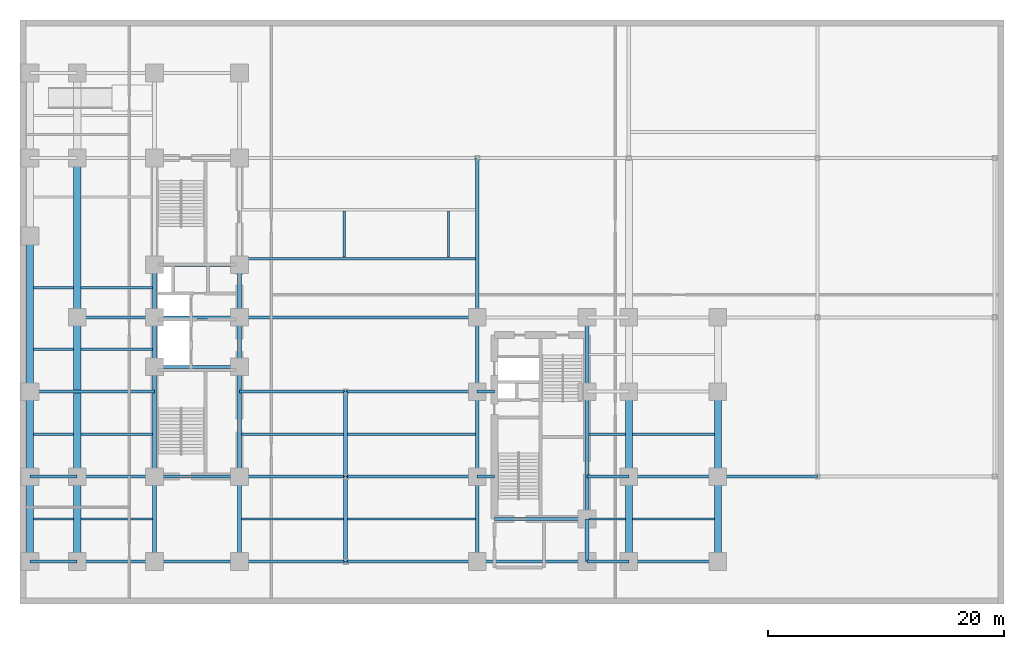
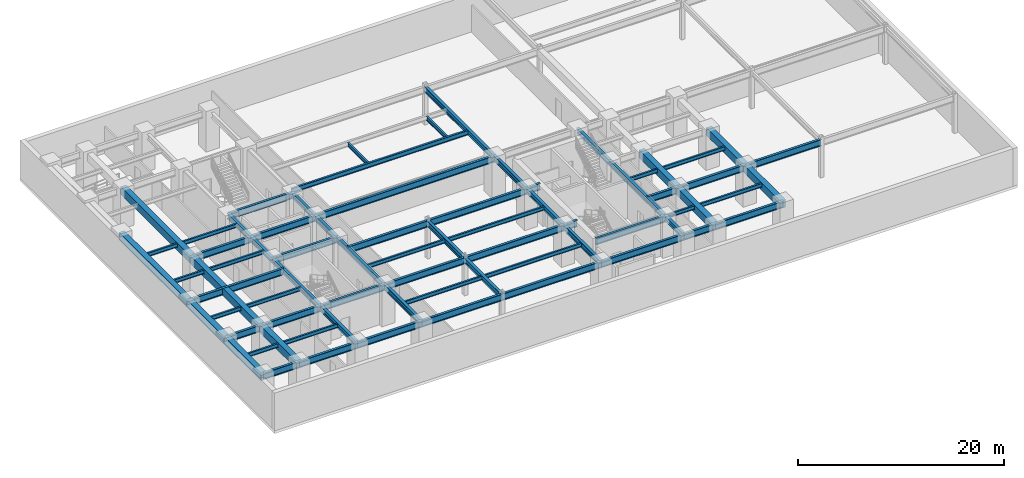
# One storey, part 3 of 9: 73 beams.
"""IFC4 building model written with IfcOpenShell, lengths in metres."""

from ifc_helpers import new_model, entity, si_unit, converted_unit, direction, frame, origin_with_axes, origin_2d_with_axis, place, context, subcontext, project, spatial, rectangle, i_section, extrude, material, material_profile, profile_set, type_object, element, save


model = new_model("IFC4")

# Units and contexts
model_context = context("Model", 3, precision=1e-05, world=origin_with_axes(), true_north=direction((0.0, 1.0)))
body_context = subcontext(model_context, "Body", "Model", "MODEL_VIEW")
ifc_project = project(units=[si_unit("LENGTHUNIT", "METRE"), si_unit("AREAUNIT", "SQUARE_METRE"), si_unit("VOLUMEUNIT", "CUBIC_METRE"), converted_unit("PLANEANGLEUNIT", "DEGREE", entity("IfcPlaneAngleMeasure", 0.017453292519943295), si_unit("PLANEANGLEUNIT", "RADIAN"), dimensions=[0, 0, 0, 0, 0, 0, 0]), si_unit("MASSUNIT", "GRAM", prefix="KILO"), si_unit("THERMODYNAMICTEMPERATUREUNIT", "KELVIN")], contexts=[model_context])

# Site, building, storey
site_placement = place(None, origin_with_axes())
site = spatial("IfcSite", under=ifc_project, at=site_placement, CompositionType="ELEMENT")
building_placement = place(site_placement, origin_with_axes())
building = spatial("IfcBuilding", under=site, at=building_placement, Name="Varnlund Millrace Tower", CompositionType="ELEMENT")
storey_placement = place(building_placement, frame((0.0, 0.0, -4.8), z_axis=(0.0, 0.0, 1.0), x_axis=(1.0, 0.0, 0.0)))
storey = spatial("IfcBuildingStorey", under=building, at=storey_placement, Name="B1", CompositionType="ELEMENT", Elevation=-4.8)

# Beams
ifc_material_1 = material(Name="Steel ASTM A992 Grade 50", Category="steel")
ifc_material_profile_1 = material_profile(ifc_material_1, i_section(OverallWidth=0.214, OverallDepth=0.549, WebThickness=0.0147, FlangeThickness=0.0236, FilletRadius=0.015, at=origin_2d_with_axis()), Name="Steel ASTM A992 Grade 50")
ifc_profile_set_1 = profile_set([ifc_material_profile_1], Name="Steel ASTM A992 Grade 50")
beam_type_1 = type_object("IfcBeamType", Name="Type-Beam-W21X93", PredefinedType="BEAM", material=ifc_profile_set_1)
beam_1_placement = place(storey_placement, frame((18.764, 29.275, 4.2055), z_axis=(1.0, 0.0, 0.0), x_axis=(0.0, 1.0, 0.0)))
element("IfcBeam", 1, at=beam_1_placement, inside=storey, type_object=beam_type_1, Name="Type-Beam-W21X93", PredefinedType="BEAM", context=body_context, shape_type="SweptSolid", body=[
    extrude(i_section(OverallWidth=0.214, OverallDepth=0.549, WebThickness=0.0147, FlangeThickness=0.0236, FilletRadius=0.015, at=origin_2d_with_axis()), origin_with_axes(), (0.0, 0.0, 1.0), 19.822),
])
ifc_material_profile_2 = material_profile(ifc_material_1, i_section(OverallWidth=0.328, OverallDepth=0.628, WebThickness=0.0165, FlangeThickness=0.0277, FilletRadius=0.018, at=origin_2d_with_axis()), Name="Steel ASTM A992 Grade 50")
ifc_profile_set_2 = profile_set([ifc_material_profile_2], Name="Steel ASTM A992 Grade 50")
beam_type_2 = type_object("IfcBeamType", Name="Type-Girder-W24X146", PredefinedType="USERDEFINED", material=ifc_profile_set_2)
beam_2_placement = place(storey_placement, frame((11.4, 3.6, 4.166), z_axis=(0.0, 1.0, 0.0), x_axis=(-1.0, 0.0, 0.0)))
element("IfcBeam", 2, at=beam_2_placement, inside=storey, type_object=beam_type_2, Name="Type-Girder-W24X146", ObjectType="GIRDER", PredefinedType="USERDEFINED", context=body_context, shape_type="SweptSolid", body=[
    extrude(i_section(OverallWidth=0.328, OverallDepth=0.628, WebThickness=0.0165, FlangeThickness=0.0277, FilletRadius=0.018, at=origin_2d_with_axis()), origin_with_axes(), (0.0, 0.0, 1.0), 7.2),
])
beam_3_placement = place(storey_placement, frame((11.4, 10.8, 4.166), z_axis=(0.0, 1.0, 0.0), x_axis=(-1.0, 0.0, 0.0)))
element("IfcBeam", 3, at=beam_3_placement, inside=storey, type_object=beam_type_2, Name="Type-Girder-W24X146", ObjectType="GIRDER", PredefinedType="USERDEFINED", context=body_context, shape_type="SweptSolid", body=[
    extrude(i_section(OverallWidth=0.328, OverallDepth=0.628, WebThickness=0.0165, FlangeThickness=0.0277, FilletRadius=0.018, at=origin_2d_with_axis()), origin_with_axes(), (0.0, 0.0, 1.0), 9.3),
])
beam_4_placement = place(storey_placement, frame((11.4, 20.1, 4.166), z_axis=(0.0, 1.0, 0.0), x_axis=(-1.0, 0.0, 0.0)))
element("IfcBeam", 4, at=beam_4_placement, inside=storey, type_object=beam_type_2, Name="Type-Girder-W24X146", ObjectType="GIRDER", PredefinedType="USERDEFINED", context=body_context, shape_type="SweptSolid", body=[
    extrude(i_section(OverallWidth=0.328, OverallDepth=0.628, WebThickness=0.0165, FlangeThickness=0.0277, FilletRadius=0.018, at=origin_2d_with_axis()), origin_with_axes(), (0.0, 0.0, 1.0), 4.2),
])
beam_5_placement = place(storey_placement, frame((11.4, 24.3, 4.166), z_axis=(0.0, 1.0, 0.0), x_axis=(-1.0, 0.0, 0.0)))
element("IfcBeam", 5, at=beam_5_placement, inside=storey, type_object=beam_type_2, Name="Type-Girder-W24X146", ObjectType="GIRDER", PredefinedType="USERDEFINED", context=body_context, shape_type="SweptSolid", body=[
    extrude(i_section(OverallWidth=0.328, OverallDepth=0.628, WebThickness=0.0165, FlangeThickness=0.0277, FilletRadius=0.018, at=origin_2d_with_axis()), origin_with_axes(), (0.0, 0.0, 1.0), 4.45),
])
beam_6_placement = place(storey_placement, frame((18.6, 3.6, 4.166), z_axis=(0.0, 1.0, 0.0), x_axis=(-1.0, 0.0, 0.0)))
element("IfcBeam", 6, at=beam_6_placement, inside=storey, type_object=beam_type_2, Name="Type-Girder-W24X146", ObjectType="GIRDER", PredefinedType="USERDEFINED", context=body_context, shape_type="SweptSolid", body=[
    extrude(i_section(OverallWidth=0.328, OverallDepth=0.628, WebThickness=0.0165, FlangeThickness=0.0277, FilletRadius=0.018, at=origin_2d_with_axis()), origin_with_axes(), (0.0, 0.0, 1.0), 7.2),
])
beam_7_placement = place(storey_placement, frame((18.6, 10.8, 4.166), z_axis=(0.0, 1.0, 0.0), x_axis=(-1.0, 0.0, 0.0)))
element("IfcBeam", 7, at=beam_7_placement, inside=storey, type_object=beam_type_2, Name="Type-Girder-W24X146", ObjectType="GIRDER", PredefinedType="USERDEFINED", context=body_context, shape_type="SweptSolid", body=[
    extrude(i_section(OverallWidth=0.328, OverallDepth=0.628, WebThickness=0.0165, FlangeThickness=0.0277, FilletRadius=0.018, at=origin_2d_with_axis()), origin_with_axes(), (0.0, 0.0, 1.0), 9.3),
])
beam_8_placement = place(storey_placement, frame((18.6, 20.1, 4.166), z_axis=(0.0, 1.0, 0.0), x_axis=(-1.0, 0.0, 0.0)))
element("IfcBeam", 8, at=beam_8_placement, inside=storey, type_object=beam_type_2, Name="Type-Girder-W24X146", ObjectType="GIRDER", PredefinedType="USERDEFINED", context=body_context, shape_type="SweptSolid", body=[
    extrude(i_section(OverallWidth=0.328, OverallDepth=0.628, WebThickness=0.0165, FlangeThickness=0.0277, FilletRadius=0.018, at=origin_2d_with_axis()), origin_with_axes(), (0.0, 0.0, 1.0), 4.2),
])
beam_9_placement = place(storey_placement, frame((18.6, 24.3, 4.166), z_axis=(0.0, 1.0, 0.0), x_axis=(-1.0, 0.0, 0.0)))
element("IfcBeam", 9, at=beam_9_placement, inside=storey, type_object=beam_type_2, Name="Type-Girder-W24X146", ObjectType="GIRDER", PredefinedType="USERDEFINED", context=body_context, shape_type="SweptSolid", body=[
    extrude(i_section(OverallWidth=0.328, OverallDepth=0.628, WebThickness=0.0165, FlangeThickness=0.0277, FilletRadius=0.018, at=origin_2d_with_axis()), origin_with_axes(), (0.0, 0.0, 1.0), 4.45),
])
for number, where, z_axis, x_axis, name in (
    (10, (27.6, 3.6, 4.166), (0.0, 1.0, 0.0), (-1.0, 0.0, 0.0), "Type-Girder-W24X146"),
    (11, (27.6, 10.8, 4.166), (0.0, 1.0, 0.0), (-1.0, 0.0, 0.0), "Type-Girder-W24X146"),
    (12, (38.75, 3.6, 4.166), (0.0, 1.0, 0.0), (-1.0, 0.0, 0.0), "Type-Girder-W24X146"),
    (13, (38.75, 10.8, 4.166), (0.0, 1.0, 0.0), (-1.0, 0.0, 0.0), "Type-Girder-W24X146"),
):
    element("IfcBeam", number, at=place(storey_placement, frame(where, z_axis=z_axis, x_axis=x_axis)), inside=storey, type_object=beam_type_2, Name=name, ObjectType="GIRDER", PredefinedType="USERDEFINED", context=body_context, shape_type="SweptSolid", body=[
        extrude(i_section(OverallWidth=0.328, OverallDepth=0.628, WebThickness=0.0165, FlangeThickness=0.0277, FilletRadius=0.018, at=origin_2d_with_axis()), origin_with_axes(), (0.0, 0.0, 1.0), 7.2),
    ])
beam_10_placement = place(storey_placement, frame((38.75, 18.0, 4.166), z_axis=(0.0, 1.0, 0.0), x_axis=(-1.0, 0.0, 0.0)))
element("IfcBeam", 14, at=beam_10_placement, inside=storey, type_object=beam_type_2, Name="Type-Girder-W24X146", ObjectType="GIRDER", PredefinedType="USERDEFINED", context=body_context, shape_type="SweptSolid", body=[
    extrude(i_section(OverallWidth=0.328, OverallDepth=0.628, WebThickness=0.0165, FlangeThickness=0.0277, FilletRadius=0.018, at=origin_2d_with_axis()), origin_with_axes(), (0.0, 0.0, 1.0), 6.3),
])
beam_11_placement = place(storey_placement, frame((38.75, 24.3, 4.166), z_axis=(0.0, 1.0, 0.0), x_axis=(-1.0, 0.0, 0.0)))
element("IfcBeam", 15, at=beam_11_placement, inside=storey, type_object=beam_type_2, Name="Type-Girder-W24X146", ObjectType="GIRDER", PredefinedType="USERDEFINED", context=body_context, shape_type="SweptSolid", body=[
    extrude(i_section(OverallWidth=0.328, OverallDepth=0.628, WebThickness=0.0165, FlangeThickness=0.0277, FilletRadius=0.018, at=origin_2d_with_axis()), origin_with_axes(), (0.0, 0.0, 1.0), 13.5),
])
beam_12_placement = place(storey_placement, frame((48.05, 3.6, 4.166), z_axis=(0.0, 1.0, 0.0), x_axis=(-1.0, 0.0, 0.0)))
element("IfcBeam", 16, at=beam_12_placement, inside=storey, type_object=beam_type_2, Name="Type-Girder-W24X146", ObjectType="GIRDER", PredefinedType="USERDEFINED", context=body_context, shape_type="SweptSolid", body=[
    extrude(i_section(OverallWidth=0.328, OverallDepth=0.628, WebThickness=0.0165, FlangeThickness=0.0277, FilletRadius=0.018, at=origin_2d_with_axis()), origin_with_axes(), (0.0, 0.0, 1.0), 3.6),
])
beam_13_placement = place(storey_placement, frame((48.05, 7.2, 4.166), z_axis=(0.0, 1.0, 0.0), x_axis=(-1.0, 0.0, 0.0)))
element("IfcBeam", 17, at=beam_13_placement, inside=storey, type_object=beam_type_2, Name="Type-Girder-W24X146", ObjectType="GIRDER", PredefinedType="USERDEFINED", context=body_context, shape_type="SweptSolid", body=[
    extrude(i_section(OverallWidth=0.328, OverallDepth=0.628, WebThickness=0.0165, FlangeThickness=0.0277, FilletRadius=0.018, at=origin_2d_with_axis()), origin_with_axes(), (0.0, 0.0, 1.0), 10.8),
])
beam_14_placement = place(storey_placement, frame((48.05, 18.0, 4.166), z_axis=(0.0, 1.0, 0.0), x_axis=(-1.0, 0.0, 0.0)))
element("IfcBeam", 18, at=beam_14_placement, inside=storey, type_object=beam_type_2, Name="Type-Girder-W24X146", ObjectType="GIRDER", PredefinedType="USERDEFINED", context=body_context, shape_type="SweptSolid", body=[
    extrude(i_section(OverallWidth=0.328, OverallDepth=0.628, WebThickness=0.0165, FlangeThickness=0.0277, FilletRadius=0.018, at=origin_2d_with_axis()), origin_with_axes(), (0.0, 0.0, 1.0), 6.3),
])
ifc_material_profile_3 = material_profile(ifc_material_1, i_section(OverallWidth=0.266, OverallDepth=0.779, WebThickness=0.0165, FlangeThickness=0.03, FilletRadius=0.02, at=origin_2d_with_axis()), Name="Steel ASTM A992 Grade 50")
ifc_profile_set_3 = profile_set([ifc_material_profile_3], Name="Steel ASTM A992 Grade 50")
beam_type_3 = type_object("IfcBeamType", Name="Type-Girder-W30X148", PredefinedType="USERDEFINED", material=ifc_profile_set_3)
beam_15_placement = place(storey_placement, frame((0.85, 3.6, 4.0905), z_axis=(1.0, 0.0, 0.0), x_axis=(0.0, 1.0, 0.0)))
element("IfcBeam", 19, at=beam_15_placement, inside=storey, type_object=beam_type_3, Name="Type-Girder-W30X148", ObjectType="GIRDER", PredefinedType="USERDEFINED", context=body_context, shape_type="SweptSolid", body=[
    extrude(i_section(OverallWidth=0.266, OverallDepth=0.779, WebThickness=0.0165, FlangeThickness=0.03, FilletRadius=0.02, at=origin_2d_with_axis()), origin_with_axes(), (0.0, 0.0, 1.0), 4.0),
])
beam_16_placement = place(storey_placement, frame((4.85, 3.6, 4.0905), z_axis=(1.0, 0.0, 0.0), x_axis=(0.0, 1.0, 0.0)))
element("IfcBeam", 20, at=beam_16_placement, inside=storey, type_object=beam_type_3, Name="Type-Girder-W30X148", ObjectType="GIRDER", PredefinedType="USERDEFINED", context=body_context, shape_type="SweptSolid", body=[
    extrude(i_section(OverallWidth=0.266, OverallDepth=0.779, WebThickness=0.0165, FlangeThickness=0.03, FilletRadius=0.02, at=origin_2d_with_axis()), origin_with_axes(), (0.0, 0.0, 1.0), 6.55),
])
beam_17_placement = place(storey_placement, frame((11.4, 3.6, 4.0905), z_axis=(1.0, 0.0, 0.0), x_axis=(0.0, 1.0, 0.0)))
element("IfcBeam", 21, at=beam_17_placement, inside=storey, type_object=beam_type_3, Name="Type-Girder-W30X148", ObjectType="GIRDER", PredefinedType="USERDEFINED", context=body_context, shape_type="SweptSolid", body=[
    extrude(i_section(OverallWidth=0.266, OverallDepth=0.779, WebThickness=0.0165, FlangeThickness=0.03, FilletRadius=0.02, at=origin_2d_with_axis()), origin_with_axes(), (0.0, 0.0, 1.0), 7.2),
])
beam_18_placement = place(storey_placement, frame((18.6, 3.6, 4.0905), z_axis=(1.0, 0.0, 0.0), x_axis=(0.0, 1.0, 0.0)))
element("IfcBeam", 22, at=beam_18_placement, inside=storey, type_object=beam_type_3, Name="Type-Girder-W30X148", ObjectType="GIRDER", PredefinedType="USERDEFINED", context=body_context, shape_type="SweptSolid", body=[
    extrude(i_section(OverallWidth=0.266, OverallDepth=0.779, WebThickness=0.0165, FlangeThickness=0.03, FilletRadius=0.02, at=origin_2d_with_axis()), origin_with_axes(), (0.0, 0.0, 1.0), 9.0),
])
beam_19_placement = place(storey_placement, frame((27.6, 3.6, 4.0905), z_axis=(1.0, 0.0, 0.0), x_axis=(0.0, 1.0, 0.0)))
element("IfcBeam", 23, at=beam_19_placement, inside=storey, type_object=beam_type_3, Name="Type-Girder-W30X148", ObjectType="GIRDER", PredefinedType="USERDEFINED", context=body_context, shape_type="SweptSolid", body=[
    extrude(i_section(OverallWidth=0.266, OverallDepth=0.779, WebThickness=0.0165, FlangeThickness=0.03, FilletRadius=0.02, at=origin_2d_with_axis()), origin_with_axes(), (0.0, 0.0, 1.0), 11.15),
])
beam_20_placement = place(storey_placement, frame((38.75, 3.6, 4.0905), z_axis=(1.0, 0.0, 0.0), x_axis=(0.0, 1.0, 0.0)))
element("IfcBeam", 24, at=beam_20_placement, inside=storey, type_object=beam_type_3, Name="Type-Girder-W30X148", ObjectType="GIRDER", PredefinedType="USERDEFINED", context=body_context, shape_type="SweptSolid", body=[
    extrude(i_section(OverallWidth=0.266, OverallDepth=0.779, WebThickness=0.0165, FlangeThickness=0.03, FilletRadius=0.02, at=origin_2d_with_axis()), origin_with_axes(), (0.0, 0.0, 1.0), 9.3),
])
beam_21_placement = place(storey_placement, frame((48.05, 3.6, 4.0905), z_axis=(1.0, 0.0, 0.0), x_axis=(0.0, 1.0, 0.0)))
element("IfcBeam", 25, at=beam_21_placement, inside=storey, type_object=beam_type_3, Name="Type-Girder-W30X148", ObjectType="GIRDER", PredefinedType="USERDEFINED", context=body_context, shape_type="SweptSolid", body=[
    extrude(i_section(OverallWidth=0.266, OverallDepth=0.779, WebThickness=0.0165, FlangeThickness=0.03, FilletRadius=0.02, at=origin_2d_with_axis()), origin_with_axes(), (0.0, 0.0, 1.0), 3.55),
])
beam_22_placement = place(storey_placement, frame((51.6, 3.6, 4.0905), z_axis=(1.0, 0.0, 0.0), x_axis=(0.0, 1.0, 0.0)))
element("IfcBeam", 26, at=beam_22_placement, inside=storey, type_object=beam_type_3, Name="Type-Girder-W30X148", ObjectType="GIRDER", PredefinedType="USERDEFINED", context=body_context, shape_type="SweptSolid", body=[
    extrude(i_section(OverallWidth=0.266, OverallDepth=0.779, WebThickness=0.0165, FlangeThickness=0.03, FilletRadius=0.02, at=origin_2d_with_axis()), origin_with_axes(), (0.0, 0.0, 1.0), 7.55),
])
beam_23_placement = place(storey_placement, frame((40.2, 7.2, 4.0905), z_axis=(1.0, 0.0, 0.0), x_axis=(0.0, 1.0, 0.0)))
element("IfcBeam", 27, at=beam_23_placement, inside=storey, type_object=beam_type_3, Name="Type-Girder-W30X148", ObjectType="GIRDER", PredefinedType="USERDEFINED", context=body_context, shape_type="SweptSolid", body=[
    extrude(i_section(OverallWidth=0.266, OverallDepth=0.779, WebThickness=0.0165, FlangeThickness=0.03, FilletRadius=0.02, at=origin_2d_with_axis()), origin_with_axes(), (0.0, 0.0, 1.0), 7.85),
])
beam_24_placement = place(storey_placement, frame((0.85, 10.8, 4.0905), z_axis=(1.0, 0.0, 0.0), x_axis=(0.0, 1.0, 0.0)))
element("IfcBeam", 28, at=beam_24_placement, inside=storey, type_object=beam_type_3, Name="Type-Girder-W30X148", ObjectType="GIRDER", PredefinedType="USERDEFINED", context=body_context, shape_type="SweptSolid", body=[
    extrude(i_section(OverallWidth=0.266, OverallDepth=0.779, WebThickness=0.0165, FlangeThickness=0.03, FilletRadius=0.02, at=origin_2d_with_axis()), origin_with_axes(), (0.0, 0.0, 1.0), 4.0),
])
beam_25_placement = place(storey_placement, frame((4.85, 10.8, 4.0905), z_axis=(1.0, 0.0, 0.0), x_axis=(0.0, 1.0, 0.0)))
element("IfcBeam", 29, at=beam_25_placement, inside=storey, type_object=beam_type_3, Name="Type-Girder-W30X148", ObjectType="GIRDER", PredefinedType="USERDEFINED", context=body_context, shape_type="SweptSolid", body=[
    extrude(i_section(OverallWidth=0.266, OverallDepth=0.779, WebThickness=0.0165, FlangeThickness=0.03, FilletRadius=0.02, at=origin_2d_with_axis()), origin_with_axes(), (0.0, 0.0, 1.0), 6.55),
])
beam_26_placement = place(storey_placement, frame((11.4, 10.8, 4.0905), z_axis=(1.0, 0.0, 0.0), x_axis=(0.0, 1.0, 0.0)))
element("IfcBeam", 30, at=beam_26_placement, inside=storey, type_object=beam_type_3, Name="Type-Girder-W30X148", ObjectType="GIRDER", PredefinedType="USERDEFINED", context=body_context, shape_type="SweptSolid", body=[
    extrude(i_section(OverallWidth=0.266, OverallDepth=0.779, WebThickness=0.0165, FlangeThickness=0.03, FilletRadius=0.02, at=origin_2d_with_axis()), origin_with_axes(), (0.0, 0.0, 1.0), 7.2),
])
beam_27_placement = place(storey_placement, frame((18.6, 10.8, 4.0905), z_axis=(1.0, 0.0, 0.0), x_axis=(0.0, 1.0, 0.0)))
element("IfcBeam", 31, at=beam_27_placement, inside=storey, type_object=beam_type_3, Name="Type-Girder-W30X148", ObjectType="GIRDER", PredefinedType="USERDEFINED", context=body_context, shape_type="SweptSolid", body=[
    extrude(i_section(OverallWidth=0.266, OverallDepth=0.779, WebThickness=0.0165, FlangeThickness=0.03, FilletRadius=0.02, at=origin_2d_with_axis()), origin_with_axes(), (0.0, 0.0, 1.0), 9.0),
])
beam_28_placement = place(storey_placement, frame((27.6, 10.8, 4.0905), z_axis=(1.0, 0.0, 0.0), x_axis=(0.0, 1.0, 0.0)))
element("IfcBeam", 32, at=beam_28_placement, inside=storey, type_object=beam_type_3, Name="Type-Girder-W30X148", ObjectType="GIRDER", PredefinedType="USERDEFINED", context=body_context, shape_type="SweptSolid", body=[
    extrude(i_section(OverallWidth=0.266, OverallDepth=0.779, WebThickness=0.0165, FlangeThickness=0.03, FilletRadius=0.02, at=origin_2d_with_axis()), origin_with_axes(), (0.0, 0.0, 1.0), 11.15),
])
beam_29_placement = place(storey_placement, frame((38.75, 10.8, 4.0905), z_axis=(1.0, 0.0, 0.0), x_axis=(0.0, 1.0, 0.0)))
element("IfcBeam", 33, at=beam_29_placement, inside=storey, type_object=beam_type_3, Name="Type-Girder-W30X148", ObjectType="GIRDER", PredefinedType="USERDEFINED", context=body_context, shape_type="SweptSolid", body=[
    extrude(i_section(OverallWidth=0.266, OverallDepth=0.779, WebThickness=0.0165, FlangeThickness=0.03, FilletRadius=0.02, at=origin_2d_with_axis()), origin_with_axes(), (0.0, 0.0, 1.0), 1.45),
])
beam_30_placement = place(storey_placement, frame((48.05, 10.8, 4.0905), z_axis=(1.0, 0.0, 0.0), x_axis=(0.0, 1.0, 0.0)))
element("IfcBeam", 34, at=beam_30_placement, inside=storey, type_object=beam_type_3, Name="Type-Girder-W30X148", ObjectType="GIRDER", PredefinedType="USERDEFINED", context=body_context, shape_type="SweptSolid", body=[
    extrude(i_section(OverallWidth=0.266, OverallDepth=0.779, WebThickness=0.0165, FlangeThickness=0.03, FilletRadius=0.02, at=origin_2d_with_axis()), origin_with_axes(), (0.0, 0.0, 1.0), 3.55),
])
beam_31_placement = place(storey_placement, frame((51.6, 10.8, 4.0905), z_axis=(1.0, 0.0, 0.0), x_axis=(0.0, 1.0, 0.0)))
element("IfcBeam", 35, at=beam_31_placement, inside=storey, type_object=beam_type_3, Name="Type-Girder-W30X148", ObjectType="GIRDER", PredefinedType="USERDEFINED", context=body_context, shape_type="SweptSolid", body=[
    extrude(i_section(OverallWidth=0.266, OverallDepth=0.779, WebThickness=0.0165, FlangeThickness=0.03, FilletRadius=0.02, at=origin_2d_with_axis()), origin_with_axes(), (0.0, 0.0, 1.0), 7.55),
])
beam_32_placement = place(storey_placement, frame((59.15, 10.8, 4.0905), z_axis=(1.0, 0.0, 0.0), x_axis=(0.0, 1.0, 0.0)))
element("IfcBeam", 36, at=beam_32_placement, inside=storey, type_object=beam_type_3, Name="Type-Girder-W30X148", ObjectType="GIRDER", PredefinedType="USERDEFINED", context=body_context, shape_type="SweptSolid", body=[
    extrude(i_section(OverallWidth=0.266, OverallDepth=0.779, WebThickness=0.0165, FlangeThickness=0.03, FilletRadius=0.02, at=origin_2d_with_axis()), origin_with_axes(), (0.0, 0.0, 1.0), 8.45),
])
beam_33_placement = place(storey_placement, frame((0.85, 18.0, 4.0905), z_axis=(1.0, 0.0, 0.0), x_axis=(0.0, 1.0, 0.0)))
element("IfcBeam", 37, at=beam_33_placement, inside=storey, type_object=beam_type_3, Name="Type-Girder-W30X148", ObjectType="GIRDER", PredefinedType="USERDEFINED", context=body_context, shape_type="SweptSolid", body=[
    extrude(i_section(OverallWidth=0.266, OverallDepth=0.779, WebThickness=0.0165, FlangeThickness=0.03, FilletRadius=0.02, at=origin_2d_with_axis()), origin_with_axes(), (0.0, 0.0, 1.0), 10.55),
])
beam_34_placement = place(storey_placement, frame((18.6, 18.0, 4.0905), z_axis=(1.0, 0.0, 0.0), x_axis=(0.0, 1.0, 0.0)))
element("IfcBeam", 38, at=beam_34_placement, inside=storey, type_object=beam_type_3, Name="Type-Girder-W30X148", ObjectType="GIRDER", PredefinedType="USERDEFINED", context=body_context, shape_type="SweptSolid", body=[
    extrude(i_section(OverallWidth=0.266, OverallDepth=0.779, WebThickness=0.0165, FlangeThickness=0.03, FilletRadius=0.02, at=origin_2d_with_axis()), origin_with_axes(), (0.0, 0.0, 1.0), 9.0),
])
beam_35_placement = place(storey_placement, frame((27.6, 18.0, 4.0905), z_axis=(1.0, 0.0, 0.0), x_axis=(0.0, 1.0, 0.0)))
element("IfcBeam", 39, at=beam_35_placement, inside=storey, type_object=beam_type_3, Name="Type-Girder-W30X148", ObjectType="GIRDER", PredefinedType="USERDEFINED", context=body_context, shape_type="SweptSolid", body=[
    extrude(i_section(OverallWidth=0.266, OverallDepth=0.779, WebThickness=0.0165, FlangeThickness=0.03, FilletRadius=0.02, at=origin_2d_with_axis()), origin_with_axes(), (0.0, 0.0, 1.0), 11.15),
])
beam_36_placement = place(storey_placement, frame((38.75, 18.0, 4.0905), z_axis=(1.0, 0.0, 0.0), x_axis=(0.0, 1.0, 0.0)))
element("IfcBeam", 40, at=beam_36_placement, inside=storey, type_object=beam_type_3, Name="Type-Girder-W30X148", ObjectType="GIRDER", PredefinedType="USERDEFINED", context=body_context, shape_type="SweptSolid", body=[
    extrude(i_section(OverallWidth=0.266, OverallDepth=0.779, WebThickness=0.0165, FlangeThickness=0.03, FilletRadius=0.02, at=origin_2d_with_axis()), origin_with_axes(), (0.0, 0.0, 1.0), 1.45),
])
beam_37_placement = place(storey_placement, frame((11.4, 20.1, 4.0905), z_axis=(1.0, 0.0, 0.0), x_axis=(0.0, 1.0, 0.0)))
element("IfcBeam", 41, at=beam_37_placement, inside=storey, type_object=beam_type_3, Name="Type-Girder-W30X148", ObjectType="GIRDER", PredefinedType="USERDEFINED", context=body_context, shape_type="SweptSolid", body=[
    extrude(i_section(OverallWidth=0.266, OverallDepth=0.779, WebThickness=0.0165, FlangeThickness=0.03, FilletRadius=0.02, at=origin_2d_with_axis()), origin_with_axes(), (0.0, 0.0, 1.0), 7.2),
])
beam_38_placement = place(storey_placement, frame((4.85, 24.3, 4.0905), z_axis=(1.0, 0.0, 0.0), x_axis=(0.0, 1.0, 0.0)))
element("IfcBeam", 42, at=beam_38_placement, inside=storey, type_object=beam_type_3, Name="Type-Girder-W30X148", ObjectType="GIRDER", PredefinedType="USERDEFINED", context=body_context, shape_type="SweptSolid", body=[
    extrude(i_section(OverallWidth=0.266, OverallDepth=0.779, WebThickness=0.0165, FlangeThickness=0.03, FilletRadius=0.02, at=origin_2d_with_axis()), origin_with_axes(), (0.0, 0.0, 1.0), 6.55),
])
beam_39_placement = place(storey_placement, frame((11.4, 24.3, 4.0905), z_axis=(1.0, 0.0, 0.0), x_axis=(0.0, 1.0, 0.0)))
element("IfcBeam", 43, at=beam_39_placement, inside=storey, type_object=beam_type_3, Name="Type-Girder-W30X148", ObjectType="GIRDER", PredefinedType="USERDEFINED", context=body_context, shape_type="SweptSolid", body=[
    extrude(i_section(OverallWidth=0.266, OverallDepth=0.779, WebThickness=0.0165, FlangeThickness=0.03, FilletRadius=0.02, at=origin_2d_with_axis()), origin_with_axes(), (0.0, 0.0, 1.0), 7.2),
])
beam_40_placement = place(storey_placement, frame((18.6, 24.3, 4.0905), z_axis=(1.0, 0.0, 0.0), x_axis=(0.0, 1.0, 0.0)))
element("IfcBeam", 44, at=beam_40_placement, inside=storey, type_object=beam_type_3, Name="Type-Girder-W30X148", ObjectType="GIRDER", PredefinedType="USERDEFINED", context=body_context, shape_type="SweptSolid", body=[
    extrude(i_section(OverallWidth=0.266, OverallDepth=0.779, WebThickness=0.0165, FlangeThickness=0.03, FilletRadius=0.02, at=origin_2d_with_axis()), origin_with_axes(), (0.0, 0.0, 1.0), 20.15),
])
beam_41_placement = place(storey_placement, frame((11.4, 28.75, 4.0905), z_axis=(1.0, 0.0, 0.0), x_axis=(0.0, 1.0, 0.0)))
element("IfcBeam", 45, at=beam_41_placement, inside=storey, type_object=beam_type_3, Name="Type-Girder-W30X148", ObjectType="GIRDER", PredefinedType="USERDEFINED", context=body_context, shape_type="SweptSolid", body=[
    extrude(i_section(OverallWidth=0.266, OverallDepth=0.779, WebThickness=0.0165, FlangeThickness=0.03, FilletRadius=0.02, at=origin_2d_with_axis()), origin_with_axes(), (0.0, 0.0, 1.0), 7.2),
])
ifc_material_profile_4 = material_profile(ifc_material_1, i_section(OverallWidth=0.191, OverallDepth=0.457, WebThickness=0.009, FlangeThickness=0.0145, FilletRadius=0.013, at=origin_2d_with_axis()), Name="Steel ASTM A992 Grade 50")
ifc_profile_set_4 = profile_set([ifc_material_profile_4], Name="Steel ASTM A992 Grade 50")
beam_type_4 = type_object("IfcBeamType", Name="Type-Joist-W18X50", PredefinedType="JOIST", material=ifc_profile_set_4)
for number, where, z_axis, x_axis, name in (
    (46, (27.475, 29.4, 4.2515), (0.0, 1.0, 0.0), (-1.0, 0.0, 0.0), "Type-Joist-W18X50"),
    (47, (36.325, 29.4, 4.2515), (0.0, 1.0, 0.0), (-1.0, 0.0, 0.0), "Type-Joist-W18X50"),
):
    element("IfcBeam", number, at=place(storey_placement, frame(where, z_axis=z_axis, x_axis=x_axis)), inside=storey, type_object=beam_type_4, Name=name, PredefinedType="JOIST", context=body_context, shape_type="SweptSolid", body=[
        extrude(i_section(OverallWidth=0.191, OverallDepth=0.457, WebThickness=0.009, FlangeThickness=0.0145, FilletRadius=0.013, at=origin_2d_with_axis()), origin_with_axes(), (0.0, 0.0, 1.0), 3.9),
    ])
for number, where, z_axis, x_axis, name in (
    (48, (1.15, 7.2, 4.2515), (1.0, 0.0, 0.0), (0.0, 1.0, 0.0), "Type-Joist-W18X50"),
    (49, (1.15, 14.4, 4.2515), (1.0, 0.0, 0.0), (0.0, 1.0, 0.0), "Type-Joist-W18X50"),
    (50, (1.15, 21.6, 4.2515), (1.0, 0.0, 0.0), (0.0, 1.0, 0.0), "Type-Joist-W18X50"),
    (51, (1.15, 26.8, 4.2515), (1.0, 0.0, 0.0), (0.0, 1.0, 0.0), "Type-Joist-W18X50"),
):
    element("IfcBeam", number, at=place(storey_placement, frame(where, z_axis=z_axis, x_axis=x_axis)), inside=storey, type_object=beam_type_4, Name=name, PredefinedType="JOIST", context=body_context, shape_type="SweptSolid", body=[
        extrude(i_section(OverallWidth=0.191, OverallDepth=0.457, WebThickness=0.009, FlangeThickness=0.0145, FilletRadius=0.013, at=origin_2d_with_axis()), origin_with_axes(), (0.0, 0.0, 1.0), 3.4),
    ])
for number, where, z_axis, x_axis, name in (
    (52, (5.15, 7.2, 4.2515), (1.0, 0.0, 0.0), (0.0, 1.0, 0.0), "Type-Joist-W18X50"),
    (53, (5.15, 14.4, 4.2515), (1.0, 0.0, 0.0), (0.0, 1.0, 0.0), "Type-Joist-W18X50"),
    (54, (5.15, 21.6, 4.2515), (1.0, 0.0, 0.0), (0.0, 1.0, 0.0), "Type-Joist-W18X50"),
    (55, (5.15, 26.8, 4.2515), (1.0, 0.0, 0.0), (0.0, 1.0, 0.0), "Type-Joist-W18X50"),
):
    element("IfcBeam", number, at=place(storey_placement, frame(where, z_axis=z_axis, x_axis=x_axis)), inside=storey, type_object=beam_type_4, Name=name, PredefinedType="JOIST", context=body_context, shape_type="SweptSolid", body=[
        extrude(i_section(OverallWidth=0.191, OverallDepth=0.457, WebThickness=0.009, FlangeThickness=0.0145, FilletRadius=0.013, at=origin_2d_with_axis()), origin_with_axes(), (0.0, 0.0, 1.0), 6.086),
    ])
for number, where, z_axis, x_axis, name in (
    (56, (48.214, 7.2, 4.2515), (1.0, 0.0, 0.0), (0.0, 1.0, 0.0), "Type-Joist-W18X50"),
    (57, (48.214, 14.4, 4.2515), (1.0, 0.0, 0.0), (0.0, 1.0, 0.0), "Type-Joist-W18X50"),
):
    element("IfcBeam", number, at=place(storey_placement, frame(where, z_axis=z_axis, x_axis=x_axis)), inside=storey, type_object=beam_type_4, Name=name, PredefinedType="JOIST", context=body_context, shape_type="SweptSolid", body=[
        extrude(i_section(OverallWidth=0.191, OverallDepth=0.457, WebThickness=0.009, FlangeThickness=0.0145, FilletRadius=0.013, at=origin_2d_with_axis()), origin_with_axes(), (0.0, 0.0, 1.0), 3.086),
    ])
for number, where, z_axis, x_axis, name in (
    (58, (51.9, 7.2, 4.2515), (1.0, 0.0, 0.0), (0.0, 1.0, 0.0), "Type-Joist-W18X50"),
    (59, (51.9, 14.4, 4.2515), (1.0, 0.0, 0.0), (0.0, 1.0, 0.0), "Type-Joist-W18X50"),
):
    element("IfcBeam", number, at=place(storey_placement, frame(where, z_axis=z_axis, x_axis=x_axis)), inside=storey, type_object=beam_type_4, Name=name, PredefinedType="JOIST", context=body_context, shape_type="SweptSolid", body=[
        extrude(i_section(OverallWidth=0.191, OverallDepth=0.457, WebThickness=0.009, FlangeThickness=0.0145, FilletRadius=0.013, at=origin_2d_with_axis()), origin_with_axes(), (0.0, 0.0, 1.0), 6.95),
    ])
for number, where, z_axis, x_axis, name in (
    (60, (18.764, 7.2, 4.2515), (1.0, 0.0, 0.0), (0.0, 1.0, 0.0), "Type-Joist-W18X50"),
    (61, (18.764, 14.4, 4.2515), (1.0, 0.0, 0.0), (0.0, 1.0, 0.0), "Type-Joist-W18X50"),
):
    element("IfcBeam", number, at=place(storey_placement, frame(where, z_axis=z_axis, x_axis=x_axis)), inside=storey, type_object=beam_type_4, Name=name, PredefinedType="JOIST", context=body_context, shape_type="SweptSolid", body=[
        extrude(i_section(OverallWidth=0.191, OverallDepth=0.457, WebThickness=0.009, FlangeThickness=0.0145, FilletRadius=0.013, at=origin_2d_with_axis()), origin_with_axes(), (0.0, 0.0, 1.0), 8.672),
    ])
for number, where, z_axis, x_axis, name in (
    (62, (27.764, 7.2, 4.2515), (1.0, 0.0, 0.0), (0.0, 1.0, 0.0), "Type-Joist-W18X50"),
    (63, (27.764, 14.4, 4.2515), (1.0, 0.0, 0.0), (0.0, 1.0, 0.0), "Type-Joist-W18X50"),
):
    element("IfcBeam", number, at=place(storey_placement, frame(where, z_axis=z_axis, x_axis=x_axis)), inside=storey, type_object=beam_type_4, Name=name, PredefinedType="JOIST", context=body_context, shape_type="SweptSolid", body=[
        extrude(i_section(OverallWidth=0.191, OverallDepth=0.457, WebThickness=0.009, FlangeThickness=0.0145, FilletRadius=0.013, at=origin_2d_with_axis()), origin_with_axes(), (0.0, 0.0, 1.0), 10.822),
    ])
ifc_material_2 = material(Name="Concrete C70/85", Category="concrete")
ifc_material_profile_5 = material_profile(ifc_material_2, rectangle(XDim=0.6, YDim=0.9, at=origin_2d_with_axis()), Name="Concrete C70/85")
ifc_profile_set_5 = profile_set([ifc_material_profile_5], Name="Concrete C70/85")
beam_type_5 = type_object("IfcBeamType", Name="Type-Spandrel-RC600X900", PredefinedType="SPANDREL", material=ifc_profile_set_5)
for number, where, z_axis, x_axis, name in (
    (64, (0.85, 3.6, 4.03), (0.0, 1.0, 0.0), (-1.0, 0.0, 0.0), "Type-Spandrel-RC600X900"),
    (65, (0.85, 10.8, 4.03), (0.0, 1.0, 0.0), (-1.0, 0.0, 0.0), "Type-Spandrel-RC600X900"),
):
    element("IfcBeam", number, at=place(storey_placement, frame(where, z_axis=z_axis, x_axis=x_axis)), inside=storey, type_object=beam_type_5, Name=name, PredefinedType="SPANDREL", context=body_context, shape_type="SweptSolid", body=[
        extrude(rectangle(XDim=0.6, YDim=0.9, at=origin_2d_with_axis()), origin_with_axes(), (0.0, 0.0, 1.0), 7.2),
    ])
beam_42_placement = place(storey_placement, frame((0.85, 18.0, 4.03), z_axis=(0.0, 1.0, 0.0), x_axis=(-1.0, 0.0, 0.0)))
element("IfcBeam", 66, at=beam_42_placement, inside=storey, type_object=beam_type_5, Name="Type-Spandrel-RC600X900", PredefinedType="SPANDREL", context=body_context, shape_type="SweptSolid", body=[
    extrude(rectangle(XDim=0.6, YDim=0.9, at=origin_2d_with_axis()), origin_with_axes(), (0.0, 0.0, 1.0), 13.2),
])
beam_43_placement = place(storey_placement, frame((4.85, 3.6, 4.03), z_axis=(0.0, 1.0, 0.0), x_axis=(-1.0, 0.0, 0.0)))
element("IfcBeam", 67, at=beam_43_placement, inside=storey, type_object=beam_type_5, Name="Type-Spandrel-RC600X900", PredefinedType="SPANDREL", context=body_context, shape_type="SweptSolid", body=[
    extrude(rectangle(XDim=0.6, YDim=0.9, at=origin_2d_with_axis()), origin_with_axes(), (0.0, 0.0, 1.0), 7.2),
])
for number, where, z_axis, x_axis, name in (
    (68, (4.85, 10.8, 4.03), (0.0, 1.0, 0.0), (-1.0, 0.0, 0.0), "Type-Spandrel-RC600X900"),
    (69, (4.85, 24.3, 4.03), (0.0, 1.0, 0.0), (-1.0, 0.0, 0.0), "Type-Spandrel-RC600X900"),
):
    element("IfcBeam", number, at=place(storey_placement, frame(where, z_axis=z_axis, x_axis=x_axis)), inside=storey, type_object=beam_type_5, Name=name, PredefinedType="SPANDREL", context=body_context, shape_type="SweptSolid", body=[
        extrude(rectangle(XDim=0.6, YDim=0.9, at=origin_2d_with_axis()), origin_with_axes(), (0.0, 0.0, 1.0), 13.5),
    ])
for number, where, z_axis, x_axis, name in (
    (70, (51.6, 3.6, 4.03), (0.0, 1.0, 0.0), (-1.0, 0.0, 0.0), "Type-Spandrel-RC600X900"),
    (71, (51.6, 10.8, 4.03), (0.0, 1.0, 0.0), (-1.0, 0.0, 0.0), "Type-Spandrel-RC600X900"),
    (72, (59.15, 3.6, 4.03), (0.0, 1.0, 0.0), (-1.0, 0.0, 0.0), "Type-Spandrel-RC600X900"),
    (73, (59.15, 10.8, 4.03), (0.0, 1.0, 0.0), (-1.0, 0.0, 0.0), "Type-Spandrel-RC600X900"),
):
    element("IfcBeam", number, at=place(storey_placement, frame(where, z_axis=z_axis, x_axis=x_axis)), inside=storey, type_object=beam_type_5, Name=name, PredefinedType="SPANDREL", context=body_context, shape_type="SweptSolid", body=[
        extrude(rectangle(XDim=0.6, YDim=0.9, at=origin_2d_with_axis()), origin_with_axes(), (0.0, 0.0, 1.0), 7.2),
    ])

save(model, "model.ifc")
